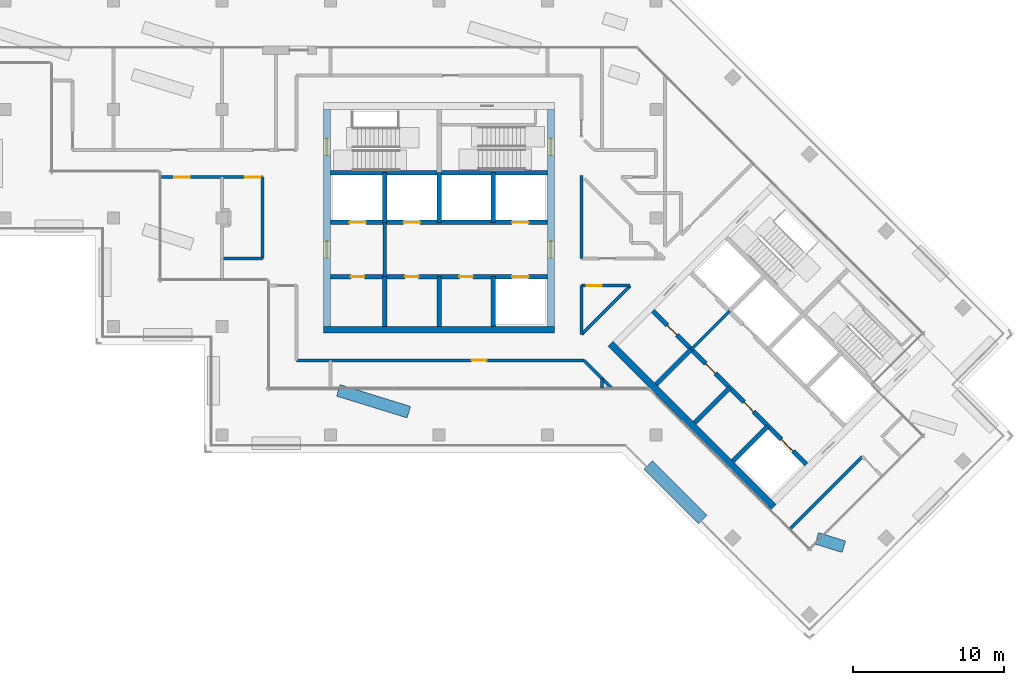
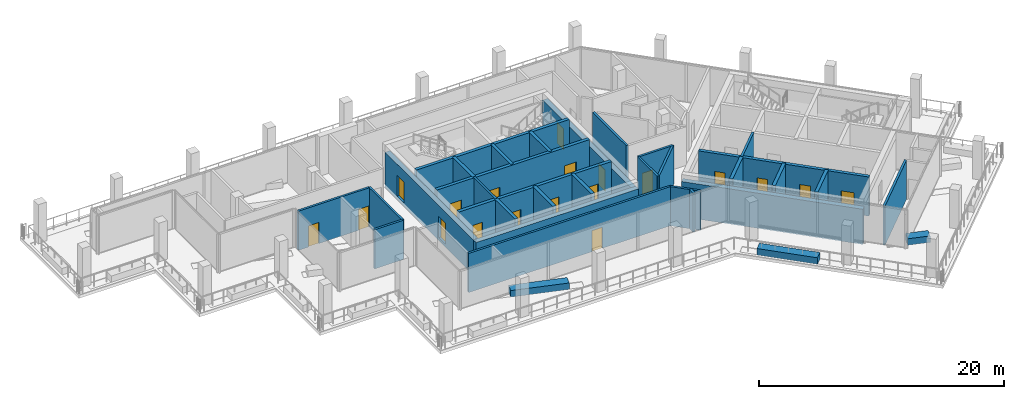
# One storey, part 9 of 20: 34 walls, 19 doors, 19 openings.
"""IFC4 building model written with IfcOpenShell, lengths in metres."""

from ifc_helpers import new_model, si_unit, direction, frame, frame_2d, origin, place, context, subcontext, project, spatial, rectangle, extrude, material, layer, layer_set, type_object, element, fill, save


model = new_model("IFC4")

# Units and contexts
model_context = context("Model", 3, precision=1e-05, world=origin(), true_north=direction((0.0, 1.0)))
body_context = subcontext(model_context, "Body", "Model", "MODEL_VIEW")
ifc_project = project(units=[si_unit("LENGTHUNIT", "METRE"), si_unit("AREAUNIT", "SQUARE_METRE"), si_unit("VOLUMEUNIT", "CUBIC_METRE"), si_unit("PLANEANGLEUNIT", "RADIAN"), si_unit("MASSUNIT", "GRAM", prefix="KILO")], contexts=[model_context])

# Site, building, storey
site_placement = place(None, origin())
site = spatial("IfcSite", under=ifc_project, at=site_placement, CompositionType="ELEMENT")
building_placement = place(site_placement, origin())
building = spatial("IfcBuilding", under=site, at=building_placement, Name="Windrow Commons", CompositionType="ELEMENT")
storey_placement = place(building_placement, frame((0.0, 0.0, 239.6)))
storey = spatial("IfcBuildingStorey", under=building, at=storey_placement, Name="L65", CompositionType="ELEMENT", Elevation=239.6)

# Walls
ifc_material_1 = material(Name="Blockwork partition", Category="masonry")
ifc_layer_1 = layer(ifc_material_1, 0.2)
ifc_layer_set_1 = layer_set([ifc_layer_1], Name="Fire lobby partition 200")
wall_type_1 = type_object("IfcWallType", Name="Fire lobby partition 200", PredefinedType="PARTITIONING", material=ifc_layer_set_1)
for number, where, z_axis, x_axis, name in (
    (1, (61.2, 53.7, 0.0), (0.0, 0.0, 1.0), (0.0, 1.0, 0.0), "W-core-lobby-A-L65"),
    (2, (81.5335, 48.8776, 0.0), (0.0, 0.0, 1.0), (0.707092892, 0.7071206701, 0.0), "W-core-lobby-B-L65"),
):
    element("IfcWall", number, at=place(storey_placement, frame(where, z_axis=z_axis, x_axis=x_axis)), inside=storey, type_object=wall_type_1, Name=name, PredefinedType="PARTITIONING", context=body_context, shape_type="SweptSolid", body=[
        extrude(rectangle(XDim=3.6, YDim=0.2, at=frame_2d((1.8, 0.0))), origin(), (0.0, 0.0, 1.0), 3.9),
    ])

# Wall, opening, door
ifc_material_2 = material(Name="Blockwork partition", Category="masonry")
ifc_layer_2 = layer(ifc_material_2, 0.2)
ifc_layer_set_2 = layer_set([ifc_layer_2], Name="IW-CORRIDOR-200")
wall_type_2 = type_object("IfcWallType", Name="IW-CORRIDOR-200", PredefinedType="PARTITIONING", material=ifc_layer_set_2)
wall_1_placement = place(storey_placement, frame((55.352, 48.15, 0.0), z_axis=(0.0, 0.0, 1.0), x_axis=(1.0, 0.0, 0.0)))
wall_1 = element("IfcWall", 3, at=wall_1_placement, inside=storey, type_object=wall_type_2, Name="W-L65-W000", PredefinedType="PARTITIONING", context=body_context, shape_type="SweptSolid", body=[
    extrude(rectangle(XDim=19.06, YDim=0.2, at=frame_2d((9.53, 0.0))), origin(), (0.0, 0.0, 1.0), 3.9),
])
opening_1_placement = place(wall_1_placement, frame((11.6076, 0.0, 0.0)))
opening_1 = element("IfcOpeningElement", 4, at=opening_1_placement, cuts=wall_1, Name="Opening D310F", PredefinedType="OPENING", context=body_context, shape_type="SweptSolid", body=[
    extrude(rectangle(XDim=1.0, YDim=2.1, at=frame_2d((0.5, 1.05))), frame((0.0, 0.11, 0.0), z_axis=(0.0, -1.0, 0.0), x_axis=(1.0, 0.0, 0.0)), (0.0, 0.0, 1.0), 0.22),
])
ifc_material_3 = material(Name="Timber door leaf", Category="wood")
door_type_1 = type_object("IfcDoorType", Name="DT-AMENITY-1000", OperationType="SINGLE_SWING_LEFT", PredefinedType="DOOR", material=ifc_material_3)
door_1_placement = place(opening_1_placement, origin())
door_1 = element("IfcDoor", 5, at=door_1_placement, inside=storey, type_object=door_type_1, Name="D-L65-D001", OperationType="SINGLE_SWING_LEFT", OverallHeight=2.1, OverallWidth=1.0, PredefinedType="DOOR", context=body_context, shape_type="SweptSolid", body=[
    extrude(rectangle(XDim=1.0, YDim=2.1, at=frame_2d((0.5, 1.05))), frame((0.0, 0.025, 0.0), z_axis=(0.0, -1.0, 0.0), x_axis=(1.0, 0.0, 0.0)), (0.0, 0.0, 1.0), 0.05),
])
fill(opening_1, door_1)

# Wall
wall_2_placement = place(storey_placement, frame((88.0938, 36.9842, 0.0), z_axis=(0.0, 0.0, 1.0), x_axis=(0.7071067812, 0.7071067812, 0.0)))
element("IfcWall", 6, at=wall_2_placement, inside=storey, type_object=wall_type_2, Name="W-L65-W004", PredefinedType="PARTITIONING", context=body_context, shape_type="SweptSolid", body=[
    extrude(rectangle(XDim=6.7713, YDim=0.2, at=frame_2d((3.3857, 0.0))), origin(), (0.0, 0.0, 1.0), 3.9),
])

# Wall, openings, doors
wall_3_placement = place(storey_placement, frame((46.33, 60.3, 0.0), z_axis=(0.0, 0.0, 1.0), x_axis=(1.0, 0.0, 0.0)))
wall_3 = element("IfcWall", 7, at=wall_3_placement, inside=storey, type_object=wall_type_2, Name="W-L65-W005", PredefinedType="PARTITIONING", context=body_context, shape_type="SweptSolid", body=[
    extrude(rectangle(XDim=6.77, YDim=0.2, at=frame_2d((3.385, 0.0))), origin(), (0.0, 0.0, 1.0), 3.9),
])
opening_2_placement = place(wall_3_placement, frame((0.9236, 0.0, 0.0)))
opening_2 = element("IfcOpeningElement", 8, at=opening_2_placement, cuts=wall_3, Name="Opening D310F", PredefinedType="OPENING", context=body_context, shape_type="SweptSolid", body=[
    extrude(rectangle(XDim=1.0, YDim=2.1, at=frame_2d((0.5, 1.05))), frame((0.0, 0.11, 0.0), z_axis=(0.0, -1.0, 0.0), x_axis=(1.0, 0.0, 0.0)), (0.0, 0.0, 1.0), 0.22),
])
opening_3_placement = place(wall_3_placement, frame((5.6333, 0.0, 0.0)))
opening_3 = element("IfcOpeningElement", 9, at=opening_3_placement, cuts=wall_3, Name="Opening D410F", PredefinedType="OPENING", context=body_context, shape_type="SweptSolid", body=[
    extrude(rectangle(XDim=1.0, YDim=2.1, at=frame_2d((0.5, 1.05))), frame((0.0, 0.11, 0.0), z_axis=(0.0, -1.0, 0.0), x_axis=(1.0, 0.0, 0.0)), (0.0, 0.0, 1.0), 0.22),
])
door_2_placement = place(opening_2_placement, origin())
door_2 = element("IfcDoor", 10, at=door_2_placement, inside=storey, type_object=door_type_1, Name="D-L65-D003", OperationType="SINGLE_SWING_RIGHT", OverallHeight=2.1, OverallWidth=1.0, PredefinedType="DOOR", context=body_context, shape_type="SweptSolid", body=[
    extrude(rectangle(XDim=1.0, YDim=2.1, at=frame_2d((0.5, 1.05))), frame((0.0, 0.025, 0.0), z_axis=(0.0, -1.0, 0.0), x_axis=(1.0, 0.0, 0.0)), (0.0, 0.0, 1.0), 0.05),
])
fill(opening_2, door_2)
ifc_material_4 = material(Name="Timber door leaf", Category="wood")
door_type_2 = type_object("IfcDoorType", Name="DT-SERVICE-1000", OperationType="SINGLE_SWING_LEFT", PredefinedType="DOOR", material=ifc_material_4)
door_3_placement = place(opening_3_placement, origin())
door_3 = element("IfcDoor", 11, at=door_3_placement, inside=storey, type_object=door_type_2, Name="D-L65-D004", OperationType="SINGLE_SWING_LEFT", OverallHeight=2.1, OverallWidth=1.0, PredefinedType="DOOR", context=body_context, shape_type="SweptSolid", body=[
    extrude(rectangle(XDim=1.0, YDim=2.1, at=frame_2d((0.5, 1.05))), frame((0.0, 0.025, 0.0), z_axis=(0.0, -1.0, 0.0), x_axis=(1.0, 0.0, 0.0)), (0.0, 0.0, 1.0), 0.05),
])
fill(opening_3, door_3)

# Walls
wall_4_placement = place(storey_placement, frame((74.25, 54.902, 0.0), z_axis=(0.0, 0.0, 1.0), x_axis=(0.0, 1.0, 0.0)))
element("IfcWall", 12, at=wall_4_placement, inside=storey, type_object=wall_type_2, Name="W-L65-W010", PredefinedType="PARTITIONING", context=body_context, shape_type="SweptSolid", body=[
    extrude(rectangle(XDim=5.5, YDim=0.2, at=frame_2d((2.75, 0.0))), origin(), (0.0, 0.0, 1.0), 3.9),
])
wall_5_placement = place(storey_placement, frame((53.1, 54.902, 0.0), z_axis=(0.0, 0.0, 1.0), x_axis=(0.0, 1.0, 0.0)))
element("IfcWall", 13, at=wall_5_placement, inside=storey, type_object=wall_type_2, Name="W-L65-W011", PredefinedType="PARTITIONING", context=body_context, shape_type="SweptSolid", body=[
    extrude(rectangle(XDim=5.398, YDim=0.2, at=frame_2d((2.699, 0.0))), origin(), (0.0, 0.0, 1.0), 3.9),
])
wall_6_placement = place(storey_placement, frame((74.2515, 49.8705, 0.0), z_axis=(0.0, 0.0, 1.0), x_axis=(0.7071067812, 0.7071067812, 0.0)))
element("IfcWall", 14, at=wall_6_placement, inside=storey, type_object=wall_type_2, Name="W-L65-W015", PredefinedType="PARTITIONING", context=body_context, shape_type="SweptSolid", body=[
    extrude(rectangle(XDim=4.5651, YDim=0.2, at=frame_2d((2.2826, 0.0))), origin(), (0.0, 0.0, 1.0), 3.9),
])
wall_7_placement = place(storey_placement, frame((74.25, 49.87, 0.0), z_axis=(0.0, 0.0, 1.0), x_axis=(0.0, 1.0, 0.0)))
element("IfcWall", 15, at=wall_7_placement, inside=storey, type_object=wall_type_2, Name="W-L65-W022", PredefinedType="PARTITIONING", context=body_context, shape_type="SweptSolid", body=[
    extrude(rectangle(XDim=3.23, YDim=0.2, at=frame_2d((1.615, 0.0))), origin(), (0.0, 0.0, 1.0), 3.9),
])

# Wall, opening, door
wall_8_placement = place(storey_placement, frame((74.252, 53.1, 0.0), z_axis=(0.0, 0.0, 1.0), x_axis=(1.0, 0.0, 0.0)))
wall_8 = element("IfcWall", 16, at=wall_8_placement, inside=storey, type_object=wall_type_2, Name="W-L65-W023", PredefinedType="PARTITIONING", context=body_context, shape_type="SweptSolid", body=[
    extrude(rectangle(XDim=3.228, YDim=0.2, at=frame_2d((1.614, 0.0))), origin(), (0.0, 0.0, 1.0), 3.9),
])
opening_4_placement = place(wall_8_placement, frame((0.3475, 0.0, 0.0)))
opening_4 = element("IfcOpeningElement", 17, at=opening_4_placement, cuts=wall_8, Name="Opening D310F", PredefinedType="OPENING", context=body_context, shape_type="SweptSolid", body=[
    extrude(rectangle(XDim=1.0, YDim=2.1, at=frame_2d((0.5, 1.05))), frame((0.0, 0.11, 0.0), z_axis=(0.0, -1.0, 0.0), x_axis=(1.0, 0.0, 0.0)), (0.0, 0.0, 1.0), 0.22),
])
door_4_placement = place(opening_4_placement, origin())
door_4 = element("IfcDoor", 18, at=door_4_placement, inside=storey, type_object=door_type_1, Name="D-L65-D002", OperationType="SINGLE_SWING_RIGHT", OverallHeight=2.1, OverallWidth=1.0, PredefinedType="DOOR", context=body_context, shape_type="SweptSolid", body=[
    extrude(rectangle(XDim=1.0, YDim=2.1, at=frame_2d((0.5, 1.05))), frame((0.0, 0.025, 0.0), z_axis=(0.0, -1.0, 0.0), x_axis=(1.0, 0.0, 0.0)), (0.0, 0.0, 1.0), 0.05),
])
fill(opening_4, door_4)

# Walls
wall_9_placement = place(storey_placement, frame((50.4, 54.9, 0.0), z_axis=(0.0, 0.0, 1.0), x_axis=(1.0, 0.0, 0.0)))
element("IfcWall", 19, at=wall_9_placement, inside=storey, type_object=wall_type_2, Name="W-L65-W024", PredefinedType="PARTITIONING", context=body_context, shape_type="SweptSolid", body=[
    extrude(rectangle(XDim=2.7, YDim=0.2, at=frame_2d((1.35, 0.0))), origin(), (0.0, 0.0, 1.0), 3.9),
])
wall_10_placement = place(storey_placement, frame((74.4089, 48.1469, 0.0), z_axis=(0.0, 0.0, 1.0), x_axis=(0.7071067812, -0.7071067812, 0.0)))
element("IfcWall", 20, at=wall_10_placement, inside=storey, type_object=wall_type_2, Name="W-L65-W025", PredefinedType="PARTITIONING", context=body_context, shape_type="SweptSolid", body=[
    extrude(rectangle(XDim=2.5739, YDim=0.2, at=frame_2d((1.287, 0.0))), origin(), (0.0, 0.0, 1.0), 3.9),
])
ifc_material_5 = material(Name="Blockwork partition", Category="masonry")
ifc_layer_3 = layer(ifc_material_5, 0.2)
ifc_layer_set_3 = layer_set([ifc_layer_3], Name="IW-PARTY-200")
wall_type_3 = type_object("IfcWallType", Name="IW-PARTY-200", PredefinedType="PARTITIONING", material=ifc_layer_set_3)
wall_11_placement = place(storey_placement, frame((75.6, 46.33, 0.0), z_axis=(0.0, 0.0, 1.0), x_axis=(0.0, 1.0, 0.0)))
element("IfcWall", 21, at=wall_11_placement, inside=storey, type_object=wall_type_3, Name="W-L65-W052", PredefinedType="PARTITIONING", context=body_context, shape_type="SweptSolid", body=[
    extrude(rectangle(XDim=0.632, YDim=0.2, at=frame_2d((0.316, 0.0))), origin(), (0.0, 0.0, 1.0), 3.9),
])
ifc_material_6 = material(Name="Concrete C30/37 planter wall", Category="concrete")
ifc_layer_4 = layer(ifc_material_6, 0.8)
ifc_layer_set_4 = layer_set([ifc_layer_4], Name="Planter 800x600")
wall_type_4 = type_object("IfcWallType", Name="Planter 800x600", PredefinedType="SOLIDWALL", material=ifc_layer_set_4)
wall_12_placement = place(storey_placement, frame((78.6751, 41.2, 0.0), z_axis=(0.0, 0.0, 1.0), x_axis=(0.7071067812, -0.7071067812, 0.0)))
element("IfcWall", 22, at=wall_12_placement, inside=storey, type_object=wall_type_4, Name="PLANTER TR-L65-1.14", PredefinedType="SOLIDWALL", context=body_context, shape_type="SweptSolid", body=[
    extrude(rectangle(XDim=5.1139, YDim=0.8, at=frame_2d((2.557, 0.0))), origin(), (0.0, 0.0, 1.0), 0.65),
])
wall_13_placement = place(storey_placement, frame((91.6594, 35.7869, 0.0), z_axis=(0.0, 0.0, 1.0), x_axis=(-0.9553618261, 0.2954382866, 0.0)))
element("IfcWall", 23, at=wall_13_placement, inside=storey, type_object=wall_type_4, Name="PLANTER TR-L65-1 bed 14", PredefinedType="SOLIDWALL", context=body_context, shape_type="SweptSolid", body=[
    extrude(rectangle(XDim=1.8857, YDim=0.8, at=frame_2d((0.9428, 0.0))), origin(), (0.0, 0.0, 1.0), 0.65),
])
wall_14_placement = place(storey_placement, frame((62.8, 44.7117, 0.0), z_axis=(0.0, 0.0, 1.0), x_axis=(-0.9553591731, 0.2954468656, 0.0)))
element("IfcWall", 24, at=wall_14_placement, inside=storey, type_object=wall_type_4, Name="PLANTER TR-L65-1 bed 15", PredefinedType="SOLIDWALL", context=body_context, shape_type="SweptSolid", body=[
    extrude(rectangle(XDim=4.8987, YDim=0.8, at=frame_2d((2.4493, 0.0))), origin(), (0.0, 0.0, 1.0), 0.65),
])
ifc_material_7 = material(Name="Concrete C40/50", Category="concrete")
ifc_layer_5 = layer(ifc_material_7, 0.45)
ifc_layer_set_5 = layer_set([ifc_layer_5], Name="RC CORE WALL 450 C40/50")
wall_type_5 = type_object("IfcWallType", Name="RC CORE WALL 450 C40/50", PredefinedType="SHEAR", material=ifc_layer_set_5)
wall_15_placement = place(storey_placement, frame((57.15, 50.175, -0.3), z_axis=(0.0, 0.0, 1.0), x_axis=(1.0, 0.0, 0.0)))
element("IfcWall", 25, at=wall_15_placement, inside=storey, type_object=wall_type_5, Name="Core A wall outer-S", PredefinedType="SHEAR", context=body_context, shape_type="SweptSolid", body=[
    extrude(rectangle(XDim=15.3, YDim=0.45, at=frame_2d((7.65, 0.0))), origin(), (0.0, 0.0, 1.0), 3.5),
])

# Wall, openings, doors
wall_16_placement = place(storey_placement, frame((57.375, 50.4, -0.3), z_axis=(0.0, 0.0, 1.0), x_axis=(0.0, 1.0, 0.0)))
wall_16 = element("IfcWall", 26, at=wall_16_placement, inside=storey, type_object=wall_type_5, Name="Core A wall outer-W", PredefinedType="SHEAR", context=body_context, shape_type="SweptSolid", body=[
    extrude(rectangle(XDim=14.4, YDim=0.45, at=frame_2d((7.2, 0.0))), origin(), (0.0, 0.0, 1.0), 3.5),
])
opening_5_placement = place(wall_16_placement, frame((4.55, 0.0, 0.3)))
opening_5 = element("IfcOpeningElement", 27, at=opening_5_placement, cuts=wall_16, Name="Opening D6", PredefinedType="OPENING", context=body_context, shape_type="SweptSolid", body=[
    extrude(rectangle(XDim=1.1, YDim=2.1, at=frame_2d((0.55, 1.05))), frame((0.0, 0.235, 0.0), z_axis=(0.0, -1.0, 0.0), x_axis=(1.0, 0.0, 0.0)), (0.0, 0.0, 1.0), 0.47),
])
opening_6_placement = place(wall_16_placement, frame((11.35, 0.0, 0.3)))
opening_6 = element("IfcOpeningElement", 28, at=opening_6_placement, cuts=wall_16, Name="Opening D7", PredefinedType="OPENING", context=body_context, shape_type="SweptSolid", body=[
    extrude(rectangle(XDim=1.1, YDim=2.1, at=frame_2d((0.55, 1.05))), frame((0.0, 0.235, 0.0), z_axis=(0.0, -1.0, 0.0), x_axis=(1.0, 0.0, 0.0)), (0.0, 0.0, 1.0), 0.47),
])
ifc_material_8 = material(Name="Steel fire door leaf", Category="steel")
door_type_3 = type_object("IfcDoorType", Name="Core lobby door 1100", OperationType="SINGLE_SWING_LEFT", PredefinedType="DOOR", material=ifc_material_8)
door_5_placement = place(opening_5_placement, origin())
door_5 = element("IfcDoor", 29, at=door_5_placement, inside=storey, type_object=door_type_3, Name="Lift lobby door", OperationType="DOUBLE_DOOR_SINGLE_SWING", OverallHeight=2.1, OverallWidth=1.1, PredefinedType="DOOR", context=body_context, shape_type="SweptSolid", body=[
    extrude(rectangle(XDim=1.1, YDim=2.1, at=frame_2d((0.55, 1.05))), frame((0.0, 0.025, 0.0), z_axis=(0.0, -1.0, 0.0), x_axis=(1.0, 0.0, 0.0)), (0.0, 0.0, 1.0), 0.05),
])
fill(opening_5, door_5)
ifc_material_9 = material(Name="Steel fire door leaf", Category="steel")
door_type_4 = type_object("IfcDoorType", Name="Stair door 1100", OperationType="SINGLE_SWING_LEFT", PredefinedType="DOOR", material=ifc_material_9)
door_6_placement = place(opening_6_placement, origin())
door_6 = element("IfcDoor", 30, at=door_6_placement, inside=storey, type_object=door_type_4, Name="Stair door", OperationType="SINGLE_SWING_LEFT", OverallHeight=2.1, OverallWidth=1.1, PredefinedType="DOOR", context=body_context, shape_type="SweptSolid", body=[
    extrude(rectangle(XDim=1.1, YDim=2.1, at=frame_2d((0.55, 1.05))), frame((0.0, 0.025, 0.0), z_axis=(0.0, -1.0, 0.0), x_axis=(1.0, 0.0, 0.0)), (0.0, 0.0, 1.0), 0.05),
])
fill(opening_6, door_6)

wall_17_placement = place(storey_placement, frame((72.225, 50.4, -0.3), z_axis=(0.0, 0.0, 1.0), x_axis=(0.0, 1.0, 0.0)))
wall_17 = element("IfcWall", 31, at=wall_17_placement, inside=storey, type_object=wall_type_5, Name="Core A wall outer-E", PredefinedType="SHEAR", context=body_context, shape_type="SweptSolid", body=[
    extrude(rectangle(XDim=14.4, YDim=0.45, at=frame_2d((7.2, 0.0))), origin(), (0.0, 0.0, 1.0), 3.5),
])
opening_7_placement = place(wall_17_placement, frame((4.55, 0.0, 0.3)))
opening_7 = element("IfcOpeningElement", 32, at=opening_7_placement, cuts=wall_17, Name="Opening D6", PredefinedType="OPENING", context=body_context, shape_type="SweptSolid", body=[
    extrude(rectangle(XDim=1.1, YDim=2.1, at=frame_2d((0.55, 1.05))), frame((0.0, 0.235, 0.0), z_axis=(0.0, -1.0, 0.0), x_axis=(1.0, 0.0, 0.0)), (0.0, 0.0, 1.0), 0.47),
])
opening_8_placement = place(wall_17_placement, frame((11.35, 0.0, 0.3)))
opening_8 = element("IfcOpeningElement", 33, at=opening_8_placement, cuts=wall_17, Name="Opening D7", PredefinedType="OPENING", context=body_context, shape_type="SweptSolid", body=[
    extrude(rectangle(XDim=1.1, YDim=2.1, at=frame_2d((0.55, 1.05))), frame((0.0, 0.235, 0.0), z_axis=(0.0, -1.0, 0.0), x_axis=(1.0, 0.0, 0.0)), (0.0, 0.0, 1.0), 0.47),
])
door_7_placement = place(opening_7_placement, origin())
door_7 = element("IfcDoor", 34, at=door_7_placement, inside=storey, type_object=door_type_3, Name="Lift lobby door", OperationType="DOUBLE_DOOR_SINGLE_SWING", OverallHeight=2.1, OverallWidth=1.1, PredefinedType="DOOR", context=body_context, shape_type="SweptSolid", body=[
    extrude(rectangle(XDim=1.1, YDim=2.1, at=frame_2d((0.55, 1.05))), frame((0.0, 0.025, 0.0), z_axis=(0.0, -1.0, 0.0), x_axis=(1.0, 0.0, 0.0)), (0.0, 0.0, 1.0), 0.05),
])
fill(opening_7, door_7)
door_8_placement = place(opening_8_placement, origin())
door_8 = element("IfcDoor", 35, at=door_8_placement, inside=storey, type_object=door_type_4, Name="Stair door", OperationType="SINGLE_SWING_RIGHT", OverallHeight=2.1, OverallWidth=1.1, PredefinedType="DOOR", context=body_context, shape_type="SweptSolid", body=[
    extrude(rectangle(XDim=1.1, YDim=2.1, at=frame_2d((0.55, 1.05))), frame((0.0, 0.025, 0.0), z_axis=(0.0, -1.0, 0.0), x_axis=(1.0, 0.0, 0.0)), (0.0, 0.0, 1.0), 0.05),
])
fill(opening_8, door_8)

# Walls
wall_18_placement = place(storey_placement, frame((76.1771, 49.2488, -0.3), z_axis=(0.0, 0.0, 1.0), x_axis=(0.7071100491, -0.7071035132, 0.0)))
element("IfcWall", 36, at=wall_18_placement, inside=storey, type_object=wall_type_5, Name="Core B wall outer-S", PredefinedType="SHEAR", context=body_context, shape_type="SweptSolid", body=[
    extrude(rectangle(XDim=15.3, YDim=0.45, at=frame_2d((7.65, 0.0))), origin(), (0.0, 0.0, 1.0), 3.5),
])
ifc_material_10 = material(Name="Concrete C40/50", Category="concrete")
ifc_layer_6 = layer(ifc_material_10, 0.3)
ifc_layer_set_6 = layer_set([ifc_layer_6], Name="RC SHAFT WALL 300 C40/50")
wall_type_6 = type_object("IfcWallType", Name="RC SHAFT WALL 300 C40/50", PredefinedType="SOLIDWALL", material=ifc_layer_set_6)
for number, where, z_axis, x_axis, name in (
    (37, (61.2, 50.4, 0.0), (0.0, 0.0, 1.0), (0.0, 1.0, 0.0), "Core A wall shaft-S1"),
    (38, (61.2, 57.3, 0.0), (0.0, 0.0, 1.0), (0.0, 1.0, 0.0), "Core A wall shaft-N1"),
    (39, (64.8, 50.4, 0.0), (0.0, 0.0, 1.0), (0.0, 1.0, 0.0), "Core A wall shaft-S2"),
    (40, (64.8, 57.3, 0.0), (0.0, 0.0, 1.0), (0.0, 1.0, 0.0), "Core A wall shaft-N2"),
    (41, (68.4, 50.4, 0.0), (0.0, 0.0, 1.0), (0.0, 1.0, 0.0), "Core A wall shaft-S3"),
    (42, (68.4, 57.3, 0.0), (0.0, 0.0, 1.0), (0.0, 1.0, 0.0), "Core A wall shaft-N3"),
):
    element("IfcWall", number, at=place(storey_placement, frame(where, z_axis=z_axis, x_axis=x_axis)), inside=storey, type_object=wall_type_6, Name=name, PredefinedType="SOLIDWALL", context=body_context, shape_type="SweptSolid", body=[
        extrude(rectangle(XDim=3.3, YDim=0.3, at=frame_2d((1.65, 0.0))), origin(), (0.0, 0.0, 1.0), 3.9),
    ])

# Wall, openings, doors
wall_19_placement = place(storey_placement, frame((57.6, 53.7, 0.0), z_axis=(0.0, 0.0, 1.0), x_axis=(1.0, 0.0, 0.0)))
wall_19 = element("IfcWall", 43, at=wall_19_placement, inside=storey, type_object=wall_type_6, Name="Core A wall lobby-S", PredefinedType="SOLIDWALL", context=body_context, shape_type="SweptSolid", body=[
    extrude(rectangle(XDim=14.4, YDim=0.3, at=frame_2d((7.2, 0.0))), origin(), (0.0, 0.0, 1.0), 3.9),
])
opening_9_placement = place(wall_19_placement, frame((1.35, 0.0, 0.0)))
opening_9 = element("IfcOpeningElement", 44, at=opening_9_placement, cuts=wall_19, Name="Opening D8", PredefinedType="OPENING", context=body_context, shape_type="SweptSolid", body=[
    extrude(rectangle(XDim=0.9, YDim=2.1, at=frame_2d((0.45, 1.05))), frame((0.0, 0.16, 0.0), z_axis=(0.0, -1.0, 0.0), x_axis=(1.0, 0.0, 0.0)), (0.0, 0.0, 1.0), 0.32),
])
opening_10_placement = place(wall_19_placement, frame((4.95, 0.0, 0.0)))
opening_10 = element("IfcOpeningElement", 45, at=opening_10_placement, cuts=wall_19, Name="Opening D8", PredefinedType="OPENING", context=body_context, shape_type="SweptSolid", body=[
    extrude(rectangle(XDim=0.9, YDim=2.1, at=frame_2d((0.45, 1.05))), frame((0.0, 0.16, 0.0), z_axis=(0.0, -1.0, 0.0), x_axis=(1.0, 0.0, 0.0)), (0.0, 0.0, 1.0), 0.32),
])
opening_11_placement = place(wall_19_placement, frame((8.55, 0.0, 0.0)))
opening_11 = element("IfcOpeningElement", 46, at=opening_11_placement, cuts=wall_19, Name="Opening D8", PredefinedType="OPENING", context=body_context, shape_type="SweptSolid", body=[
    extrude(rectangle(XDim=0.9, YDim=2.1, at=frame_2d((0.45, 1.05))), frame((0.0, 0.16, 0.0), z_axis=(0.0, -1.0, 0.0), x_axis=(1.0, 0.0, 0.0)), (0.0, 0.0, 1.0), 0.32),
])
opening_12_placement = place(wall_19_placement, frame((12.05, 0.0, 0.0)))
opening_12 = element("IfcOpeningElement", 47, at=opening_12_placement, cuts=wall_19, Name="Opening LD", PredefinedType="OPENING", context=body_context, shape_type="SweptSolid", body=[
    extrude(rectangle(XDim=1.1, YDim=2.1, at=frame_2d((0.55, 1.05))), frame((0.0, 0.16, 0.0), z_axis=(0.0, -1.0, 0.0), x_axis=(1.0, 0.0, 0.0)), (0.0, 0.0, 1.0), 0.32),
])
ifc_material_11 = material(Name="Steel fire door leaf", Category="steel")
door_type_5 = type_object("IfcDoorType", Name="Core store door 900", OperationType="SINGLE_SWING_LEFT", PredefinedType="DOOR", material=ifc_material_11)
door_9_placement = place(opening_9_placement, origin())
door_9 = element("IfcDoor", 48, at=door_9_placement, inside=storey, type_object=door_type_5, Name="Store door", OperationType="SINGLE_SWING_LEFT", OverallHeight=2.1, OverallWidth=0.9, PredefinedType="DOOR", context=body_context, shape_type="SweptSolid", body=[
    extrude(rectangle(XDim=0.9, YDim=2.1, at=frame_2d((0.45, 1.05))), frame((0.0, 0.025, 0.0), z_axis=(0.0, -1.0, 0.0), x_axis=(1.0, 0.0, 0.0)), (0.0, 0.0, 1.0), 0.05),
])
fill(opening_9, door_9)
door_10_placement = place(opening_10_placement, origin())
door_10 = element("IfcDoor", 49, at=door_10_placement, inside=storey, type_object=door_type_5, Name="Store door", OperationType="SINGLE_SWING_LEFT", OverallHeight=2.1, OverallWidth=0.9, PredefinedType="DOOR", context=body_context, shape_type="SweptSolid", body=[
    extrude(rectangle(XDim=0.9, YDim=2.1, at=frame_2d((0.45, 1.05))), frame((0.0, 0.025, 0.0), z_axis=(0.0, -1.0, 0.0), x_axis=(1.0, 0.0, 0.0)), (0.0, 0.0, 1.0), 0.05),
])
fill(opening_10, door_10)
door_11_placement = place(opening_11_placement, origin())
door_11 = element("IfcDoor", 50, at=door_11_placement, inside=storey, type_object=door_type_5, Name="Store door", OperationType="SINGLE_SWING_LEFT", OverallHeight=2.1, OverallWidth=0.9, PredefinedType="DOOR", context=body_context, shape_type="SweptSolid", body=[
    extrude(rectangle(XDim=0.9, YDim=2.1, at=frame_2d((0.45, 1.05))), frame((0.0, 0.025, 0.0), z_axis=(0.0, -1.0, 0.0), x_axis=(1.0, 0.0, 0.0)), (0.0, 0.0, 1.0), 0.05),
])
fill(opening_11, door_11)
ifc_material_12 = material(Name="Stainless steel door leaf", Category="steel")
door_type_6 = type_object("IfcDoorType", Name="Lift landing door 1100", OperationType="SLIDING_TO_LEFT", PredefinedType="DOOR", material=ifc_material_12)
door_12_placement = place(opening_12_placement, origin())
door_12 = element("IfcDoor", 51, at=door_12_placement, inside=storey, type_object=door_type_6, Name="Lift landing door", OperationType="SLIDING_TO_RIGHT", OverallHeight=2.1, OverallWidth=1.1, PredefinedType="DOOR", context=body_context, shape_type="SweptSolid", body=[
    extrude(rectangle(XDim=1.1, YDim=2.1, at=frame_2d((0.55, 1.05))), frame((0.0, 0.025, 0.0), z_axis=(0.0, -1.0, 0.0), x_axis=(1.0, 0.0, 0.0)), (0.0, 0.0, 1.0), 0.05),
])
fill(opening_12, door_12)

wall_20_placement = place(storey_placement, frame((57.6, 57.3, 0.0), z_axis=(0.0, 0.0, 1.0), x_axis=(1.0, 0.0, 0.0)))
wall_20 = element("IfcWall", 52, at=wall_20_placement, inside=storey, type_object=wall_type_6, Name="Core A wall lobby-N", PredefinedType="SOLIDWALL", context=body_context, shape_type="SweptSolid", body=[
    extrude(rectangle(XDim=14.4, YDim=0.3, at=frame_2d((7.2, 0.0))), origin(), (0.0, 0.0, 1.0), 3.9),
])
opening_13_placement = place(wall_20_placement, frame((1.25, 0.0, 0.0)))
opening_13 = element("IfcOpeningElement", 53, at=opening_13_placement, cuts=wall_20, Name="Opening LD", PredefinedType="OPENING", context=body_context, shape_type="SweptSolid", body=[
    extrude(rectangle(XDim=1.1, YDim=2.1, at=frame_2d((0.55, 1.05))), frame((0.0, 0.16, 0.0), z_axis=(0.0, -1.0, 0.0), x_axis=(1.0, 0.0, 0.0)), (0.0, 0.0, 1.0), 0.32),
])
opening_14_placement = place(wall_20_placement, frame((4.85, 0.0, 0.0)))
opening_14 = element("IfcOpeningElement", 54, at=opening_14_placement, cuts=wall_20, Name="Opening LD", PredefinedType="OPENING", context=body_context, shape_type="SweptSolid", body=[
    extrude(rectangle(XDim=1.1, YDim=2.1, at=frame_2d((0.55, 1.05))), frame((0.0, 0.16, 0.0), z_axis=(0.0, -1.0, 0.0), x_axis=(1.0, 0.0, 0.0)), (0.0, 0.0, 1.0), 0.32),
])
opening_15_placement = place(wall_20_placement, frame((12.05, 0.0, 0.0)))
opening_15 = element("IfcOpeningElement", 55, at=opening_15_placement, cuts=wall_20, Name="Opening LD", PredefinedType="OPENING", context=body_context, shape_type="SweptSolid", body=[
    extrude(rectangle(XDim=1.1, YDim=2.1, at=frame_2d((0.55, 1.05))), frame((0.0, 0.16, 0.0), z_axis=(0.0, -1.0, 0.0), x_axis=(1.0, 0.0, 0.0)), (0.0, 0.0, 1.0), 0.32),
])
door_13_placement = place(opening_13_placement, origin())
door_13 = element("IfcDoor", 56, at=door_13_placement, inside=storey, type_object=door_type_6, Name="Lift landing door", OperationType="SLIDING_TO_LEFT", OverallHeight=2.1, OverallWidth=1.1, PredefinedType="DOOR", context=body_context, shape_type="SweptSolid", body=[
    extrude(rectangle(XDim=1.1, YDim=2.1, at=frame_2d((0.55, 1.05))), frame((0.0, 0.025, 0.0), z_axis=(0.0, -1.0, 0.0), x_axis=(1.0, 0.0, 0.0)), (0.0, 0.0, 1.0), 0.05),
])
fill(opening_13, door_13)
door_14_placement = place(opening_14_placement, origin())
door_14 = element("IfcDoor", 57, at=door_14_placement, inside=storey, type_object=door_type_6, Name="Lift landing door", OperationType="SLIDING_TO_RIGHT", OverallHeight=2.1, OverallWidth=1.1, PredefinedType="DOOR", context=body_context, shape_type="SweptSolid", body=[
    extrude(rectangle(XDim=1.1, YDim=2.1, at=frame_2d((0.55, 1.05))), frame((0.0, 0.025, 0.0), z_axis=(0.0, -1.0, 0.0), x_axis=(1.0, 0.0, 0.0)), (0.0, 0.0, 1.0), 0.05),
])
fill(opening_14, door_14)
door_15_placement = place(opening_15_placement, origin())
door_15 = element("IfcDoor", 58, at=door_15_placement, inside=storey, type_object=door_type_6, Name="Lift landing door", OperationType="SLIDING_TO_RIGHT", OverallHeight=2.1, OverallWidth=1.1, PredefinedType="DOOR", context=body_context, shape_type="SweptSolid", body=[
    extrude(rectangle(XDim=1.1, YDim=2.1, at=frame_2d((0.55, 1.05))), frame((0.0, 0.025, 0.0), z_axis=(0.0, -1.0, 0.0), x_axis=(1.0, 0.0, 0.0)), (0.0, 0.0, 1.0), 0.05),
])
fill(opening_15, door_15)

# Walls
for number, where, z_axis, x_axis, name in (
    (59, (57.6, 60.6, 0.0), (0.0, 0.0, 1.0), (1.0, 0.0, 0.0), "Core A wall stair-S"),
    (60, (64.8, 60.6, 0.0), (0.0, 0.0, 1.0), (1.0, 0.0, 0.0), "Core A wall stair-S2"),
):
    element("IfcWall", number, at=place(storey_placement, frame(where, z_axis=z_axis, x_axis=x_axis)), inside=storey, type_object=wall_type_6, Name=name, PredefinedType="SOLIDWALL", context=body_context, shape_type="SweptSolid", body=[
        extrude(rectangle(XDim=7.2, YDim=0.3, at=frame_2d((3.6, 0.0))), origin(), (0.0, 0.0, 1.0), 3.9),
    ])
wall_21_placement = place(storey_placement, frame((79.2, 46.5442, 0.0), z_axis=(0.0, 0.0, 1.0), x_axis=(0.7071219326, 0.7070916295, 0.0)))
element("IfcWall", 61, at=wall_21_placement, inside=storey, type_object=wall_type_6, Name="Core B wall shaft-S1", PredefinedType="SOLIDWALL", context=body_context, shape_type="SweptSolid", body=[
    extrude(rectangle(XDim=3.3, YDim=0.3, at=frame_2d((1.65, 0.0))), origin(), (0.0, 0.0, 1.0), 3.9),
])
for number, where, z_axis, x_axis, name in (
    (62, (81.7456, 43.9986, 0.0), (0.0, 0.0, 1.0), (0.7071067812, 0.7071067812, 0.0), "Core B wall shaft-S2"),
    (63, (84.2912, 41.453, 0.0), (0.0, 0.0, 1.0), (0.7071067812, 0.7071067812, 0.0), "Core B wall shaft-S3"),
):
    element("IfcWall", number, at=place(storey_placement, frame(where, z_axis=z_axis, x_axis=x_axis)), inside=storey, type_object=wall_type_6, Name=name, PredefinedType="SOLIDWALL", context=body_context, shape_type="SweptSolid", body=[
        extrude(rectangle(XDim=3.2999, YDim=0.3, at=frame_2d((1.65, 0.0))), origin(), (0.0, 0.0, 1.0), 3.9),
    ])

# Wall, openings, doors
wall_22_placement = place(storey_placement, frame((78.9879, 51.4232, 0.0), z_axis=(0.0, 0.0, 1.0), x_axis=(0.7071067812, -0.7071067812, 0.0)))
wall_22 = element("IfcWall", 64, at=wall_22_placement, inside=storey, type_object=wall_type_6, Name="Core B wall lobby-S", PredefinedType="SOLIDWALL", context=body_context, shape_type="SweptSolid", body=[
    extrude(rectangle(XDim=14.3999, YDim=0.3, at=frame_2d((7.2, 0.0))), origin(), (0.0, 0.0, 1.0), 3.9),
])
opening_16_placement = place(wall_22_placement, frame((1.35, 0.0, 0.0)))
opening_16 = element("IfcOpeningElement", 65, at=opening_16_placement, cuts=wall_22, Name="Opening D8", PredefinedType="OPENING", context=body_context, shape_type="SweptSolid", body=[
    extrude(rectangle(XDim=0.9, YDim=2.1, at=frame_2d((0.45, 1.05))), frame((0.0, 0.16, 0.0), z_axis=(0.0, -1.0, 0.0), x_axis=(1.0, 0.0, 0.0)), (0.0, 0.0, 1.0), 0.32),
])
opening_17_placement = place(wall_22_placement, frame((4.95, 0.0, 0.0)))
opening_17 = element("IfcOpeningElement", 66, at=opening_17_placement, cuts=wall_22, Name="Opening D8", PredefinedType="OPENING", context=body_context, shape_type="SweptSolid", body=[
    extrude(rectangle(XDim=0.9, YDim=2.1, at=frame_2d((0.45, 1.05))), frame((0.0, 0.16, 0.0), z_axis=(0.0, -1.0, 0.0), x_axis=(1.0, 0.0, 0.0)), (0.0, 0.0, 1.0), 0.32),
])
opening_18_placement = place(wall_22_placement, frame((8.55, 0.0, 0.0)))
opening_18 = element("IfcOpeningElement", 67, at=opening_18_placement, cuts=wall_22, Name="Opening D8", PredefinedType="OPENING", context=body_context, shape_type="SweptSolid", body=[
    extrude(rectangle(XDim=0.9, YDim=2.1, at=frame_2d((0.45, 1.05))), frame((0.0, 0.16, 0.0), z_axis=(0.0, -1.0, 0.0), x_axis=(1.0, 0.0, 0.0)), (0.0, 0.0, 1.0), 0.32),
])
opening_19_placement = place(wall_22_placement, frame((12.05, 0.0, 0.0)))
opening_19 = element("IfcOpeningElement", 68, at=opening_19_placement, cuts=wall_22, Name="Opening LD", PredefinedType="OPENING", context=body_context, shape_type="SweptSolid", body=[
    extrude(rectangle(XDim=1.1, YDim=2.1, at=frame_2d((0.55, 1.05))), frame((0.0, 0.16, 0.0), z_axis=(0.0, -1.0, 0.0), x_axis=(1.0, 0.0, 0.0)), (0.0, 0.0, 1.0), 0.32),
])
door_16_placement = place(opening_16_placement, origin())
door_16 = element("IfcDoor", 69, at=door_16_placement, inside=storey, type_object=door_type_5, Name="Store door", OperationType="SINGLE_SWING_LEFT", OverallHeight=2.1, OverallWidth=0.9, PredefinedType="DOOR", context=body_context, shape_type="SweptSolid", body=[
    extrude(rectangle(XDim=0.9, YDim=2.1, at=frame_2d((0.45, 1.05))), frame((0.0, 0.025, 0.0), z_axis=(0.0, -1.0, 0.0), x_axis=(1.0, 0.0, 0.0)), (0.0, 0.0, 1.0), 0.05),
])
fill(opening_16, door_16)
door_17_placement = place(opening_17_placement, origin())
door_17 = element("IfcDoor", 70, at=door_17_placement, inside=storey, type_object=door_type_5, Name="Store door", OperationType="SINGLE_SWING_LEFT", OverallHeight=2.1, OverallWidth=0.9, PredefinedType="DOOR", context=body_context, shape_type="SweptSolid", body=[
    extrude(rectangle(XDim=0.9, YDim=2.1, at=frame_2d((0.45, 1.05))), frame((0.0, 0.025, 0.0), z_axis=(0.0, -1.0, 0.0), x_axis=(1.0, 0.0, 0.0)), (0.0, 0.0, 1.0), 0.05),
])
fill(opening_17, door_17)
door_18_placement = place(opening_18_placement, origin())
door_18 = element("IfcDoor", 71, at=door_18_placement, inside=storey, type_object=door_type_5, Name="Store door", OperationType="SINGLE_SWING_LEFT", OverallHeight=2.1, OverallWidth=0.9, PredefinedType="DOOR", context=body_context, shape_type="SweptSolid", body=[
    extrude(rectangle(XDim=0.9, YDim=2.1, at=frame_2d((0.45, 1.05))), frame((0.0, 0.025, 0.0), z_axis=(0.0, -1.0, 0.0), x_axis=(1.0, 0.0, 0.0)), (0.0, 0.0, 1.0), 0.05),
])
fill(opening_18, door_18)
door_19_placement = place(opening_19_placement, origin())
door_19 = element("IfcDoor", 72, at=door_19_placement, inside=storey, type_object=door_type_6, Name="Lift landing door", OperationType="SLIDING_TO_RIGHT", OverallHeight=2.1, OverallWidth=1.1, PredefinedType="DOOR", context=body_context, shape_type="SweptSolid", body=[
    extrude(rectangle(XDim=1.1, YDim=2.1, at=frame_2d((0.55, 1.05))), frame((0.0, 0.025, 0.0), z_axis=(0.0, -1.0, 0.0), x_axis=(1.0, 0.0, 0.0)), (0.0, 0.0, 1.0), 0.05),
])
fill(opening_19, door_19)

save(model, "model.ifc")
